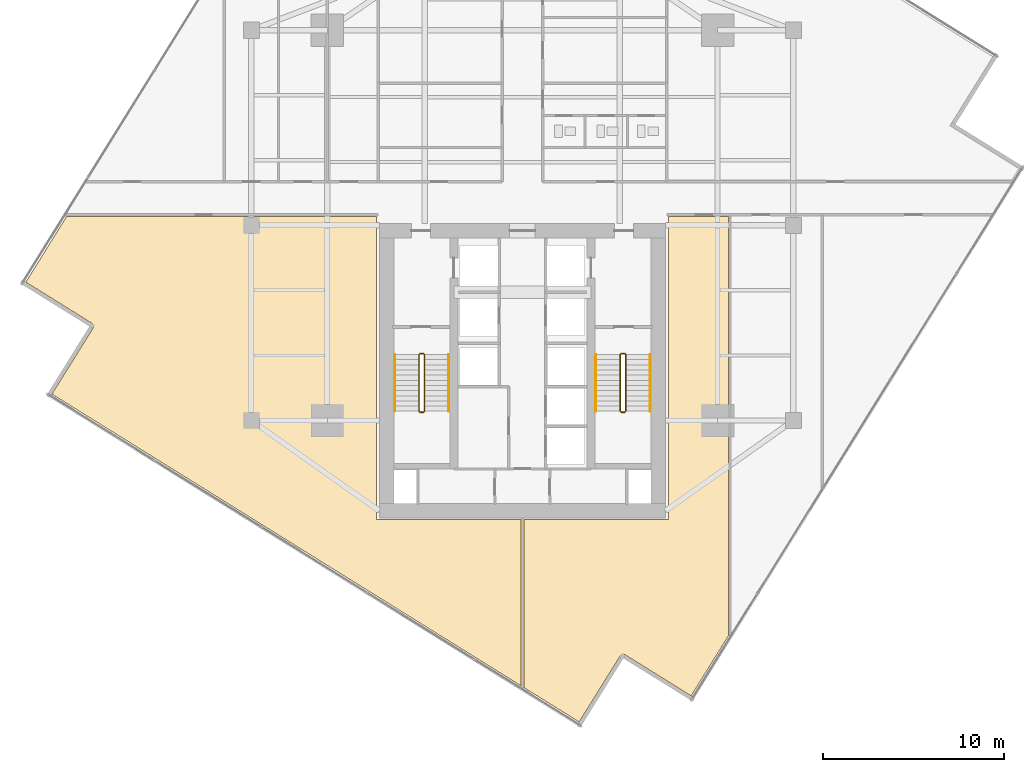
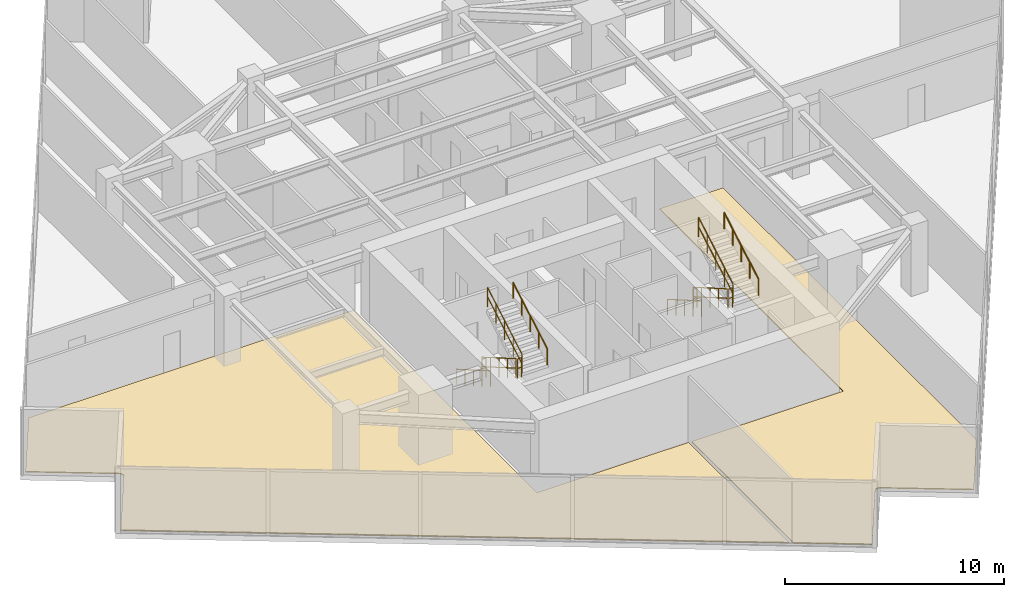
# One storey, part 24 of 26: 12 railings, 2 coverings.
"""IFC4 building model written with IfcOpenShell, lengths in metres."""

from ifc_helpers import new_model, si_unit, direction, frame, origin, origin_2d, place, context, subcontext, project, spatial, polyline, circle, outline, extrude, material, layer, layer_set, type_object, element, save


model = new_model("IFC4")

# Units and contexts
model_context = context("Model", 3, precision=1e-05, world=origin(), true_north=direction((0.0, 1.0)))
body_context = subcontext(model_context, "Body", "Model", "MODEL_VIEW")
ifc_project = project(units=[si_unit("LENGTHUNIT", "METRE"), si_unit("AREAUNIT", "SQUARE_METRE"), si_unit("VOLUMEUNIT", "CUBIC_METRE"), si_unit("PLANEANGLEUNIT", "RADIAN"), si_unit("MASSUNIT", "GRAM", prefix="KILO")], contexts=[model_context])

# Site, building, storey
site_placement = place(None, origin())
site = spatial("IfcSite", under=ifc_project, at=site_placement, CompositionType="ELEMENT")
building_placement = place(site_placement, origin())
building = spatial("IfcBuilding", under=site, at=building_placement, Name="Krantzveldt Concourse Tower", CompositionType="ELEMENT")
storey_placement = place(building_placement, frame((0.0, 0.0, 173.85009765625)))
storey = spatial("IfcBuildingStorey", under=building, at=storey_placement, Name="L42", CompositionType="ELEMENT", Elevation=173.85009765625)

# Coverings
ifc_material_1 = material(Name="Calcium-sulphate raised access floor panel", Category="flooring")
ifc_layer_1 = layer(ifc_material_1, 0.050048828125, Name="Calcium-sulphate raised access floor panel", Category="flooring")
ifc_layer_set_1 = layer_set([ifc_layer_1], Name="Calcium-sulphate raised access floor panel (COV-FLOOR-RAISED)")
covering_type = type_object("IfcCoveringType", Name="COV-FLOOR-RAISED", PredefinedType="FLOORING", material=ifc_layer_set_1)
covering_1_placement = place(storey_placement, origin())
element("IfcCovering", 1, at=covering_1_placement, inside=storey, type_object=covering_type, Name="FLR-SP-L42-SWX1", PredefinedType="FLOORING", context=body_context, shape_type="SweptSolid", body=[
    extrude(outline(polyline([(27.919921875, 10.419921875), (35.919921875, 10.419921875), (35.919921875, 1.219970703125), (9.962158203125, 17.361572265625), (12.222412109375, 20.99609375), (12.23291015625, 21.014892578125), (12.241455078125, 21.03466796875), (12.248046875, 21.055419921875), (12.25244140625, 21.076416015625), (12.255126953125, 21.097900390625), (12.25537109375, 21.119384765625), (12.253662109375, 21.140869140625), (12.249755859375, 21.162109375), (12.243896484375, 21.182861328125), (12.23583984375, 21.203125), (12.22607421875, 21.22216796875), (12.21435546875, 21.240478515625), (12.200927734375, 21.25732421875), (12.185791015625, 21.27294921875), (12.16943359375, 21.286865234375), (12.151611328125, 21.299072265625), (8.51708984375, 23.559326171875), (10.781005859375, 27.199951171875), (27.919921875, 27.199951171875), (27.919921875, 10.419921875)])), origin(), (0.0, 0.0, 1.0), 0.0498046875),
])
covering_2_placement = place(storey_placement, origin())
element("IfcCovering", 2, at=covering_2_placement, inside=storey, type_object=covering_type, Name="FLR-SP-L42-SEX1", PredefinedType="FLOORING", context=body_context, shape_type="SweptSolid", body=[
    extrude(outline(polyline([(47.419921875, 4.009521484375), (45.33837890625, 0.662109375), (41.703857421875, 2.92236328125), (41.68505859375, 2.932861328125), (41.665283203125, 2.94140625), (41.644775390625, 2.947998046875), (41.62353515625, 2.95263671875), (41.60205078125, 2.955078125), (41.58056640625, 2.955322265625), (41.55908203125, 2.95361328125), (41.537841796875, 2.94970703125), (41.51708984375, 2.94384765625), (41.496826171875, 2.935791015625), (41.477783203125, 2.926025390625), (41.45947265625, 2.914306640625), (41.442626953125, 2.90087890625), (41.42724609375, 2.885986328125), (41.4130859375, 2.869384765625), (41.40087890625, 2.8515625), (39.140869140625, -0.782958984375), (36.080078125, 1.120361328125), (36.080078125, 10.419921875), (44.080078125, 10.419921875), (44.080078125, 27.199951171875), (47.419921875, 27.199951171875), (47.419921875, 4.009521484375)])), origin(), (0.0, 0.0, 1.0), 0.0498046875),
])

# Railings
ifc_material_2 = material(Name="Stainless steel 316L", Category="steel")
ifc_layer_2 = layer(ifc_material_2, 0.06005859375, Name="Stainless steel 316L", Category="steel")
ifc_layer_set_2 = layer_set([ifc_layer_2], Name="Stainless steel 316L (RL-GUARD-1120)")
railing_type_1 = type_object("IfcRailingType", Name="RL-GUARD-1120", PredefinedType="GUARDRAIL", material=ifc_layer_set_2)
railing_1_placement = place(storey_placement, frame((30.280029296875, 19.550048828125, 0.16455078125)))
element("IfcRailing", 3, at=railing_1_placement, inside=storey, type_object=railing_type_1, Name="L42 ST-1 stair guard 1", PredefinedType="GUARDRAIL", context=body_context, shape_type="SweptSolid", body=[
    extrude(circle(Radius=0.02392578125, at=origin_2d()), frame((0.0, 0.0, 1.076171875), z_axis=(0.0, -0.865989039225, 0.500062979975), x_axis=(1.0, 0.0, 0.0)), (0.0, 0.0, 1.0), 3.6201171875),
    extrude(circle(Radius=0.02392578125, at=origin_2d()), frame((0.0, 0.0, 0.550048828125), z_axis=(0.0, -0.865989039225, 0.500062979975), x_axis=(1.0, 0.0, 0.0)), (0.0, 0.0, 1.0), 3.6201171875),
    extrude(circle(Radius=0.02099609375, at=origin_2d()), origin(), (0.0, 0.0, 1.0), 1.052001953125),
    extrude(circle(Radius=0.02099609375, at=origin_2d()), frame((0.0, -0.78369140625, 0.45263671875)), (0.0, 0.0, 1.0), 1.052001953125),
    extrude(circle(Radius=0.02099609375, at=origin_2d()), frame((0.0, -1.5673828125, 0.9052734375)), (0.0, 0.0, 1.0), 1.052001953125),
    extrude(circle(Radius=0.02099609375, at=origin_2d()), frame((0.0, -2.351318359375, 1.357666015625)), (0.0, 0.0, 1.0), 1.052001953125),
    extrude(circle(Radius=0.02099609375, at=origin_2d()), frame((0.0, -3.135009765625, 1.810302734375)), (0.0, 0.0, 1.0), 1.052001953125),
])
railing_2_placement = place(storey_placement, frame((30.330078125, 16.364990234375, 1.974853515625)))
element("IfcRailing", 4, at=railing_2_placement, inside=storey, type_object=railing_type_1, Name="L42 ST-1 stair guard 2", PredefinedType="GUARDRAIL", context=body_context, shape_type="SweptSolid", body=[
    extrude(circle(Radius=0.02392578125, at=origin_2d()), frame((0.0, 0.0, 1.076171875), z_axis=(1.0, 0.0, 0.0), x_axis=(0.0, 1.0, 0.0)), (0.0, 0.0, 1.0), 0.199951171875),
    extrude(circle(Radius=0.02392578125, at=origin_2d()), frame((0.0, 0.0, 0.550048828125), z_axis=(1.0, 0.0, 0.0), x_axis=(0.0, 1.0, 0.0)), (0.0, 0.0, 1.0), 0.199951171875),
    extrude(circle(Radius=0.02099609375, at=origin_2d()), origin(), (0.0, 0.0, 1.0), 1.052001953125),
    extrude(circle(Radius=0.02099609375, at=origin_2d()), frame((0.199951171875, 0.0, 0.0)), (0.0, 0.0, 1.0), 1.052001953125),
])
railing_3_placement = place(storey_placement, frame((30.580078125, 16.4150390625, 2.139404296875)))
element("IfcRailing", 5, at=railing_3_placement, inside=storey, type_object=railing_type_1, Name="L42 ST-1 stair guard 3", PredefinedType="GUARDRAIL", context=body_context, shape_type="SweptSolid", body=[
    extrude(circle(Radius=0.02392578125, at=origin_2d()), frame((0.0, 0.0, 1.076171875), z_axis=(0.0, 0.865959834175, 0.500113552702), x_axis=(-1.0, 0.0, 0.0)), (0.0, 0.0, 1.0), 3.620361328125),
    extrude(circle(Radius=0.02392578125, at=origin_2d()), frame((0.0, 0.0, 0.550048828125), z_axis=(0.0, 0.865959834175, 0.500113552702), x_axis=(-1.0, 0.0, 0.0)), (0.0, 0.0, 1.0), 3.620361328125),
    extrude(circle(Radius=0.02099609375, at=origin_2d()), origin(), (0.0, 0.0, 1.0), 1.052001953125),
    extrude(circle(Radius=0.02099609375, at=origin_2d()), frame((0.0, 0.78369140625, 0.45263671875)), (0.0, 0.0, 1.0), 1.052001953125),
    extrude(circle(Radius=0.02099609375, at=origin_2d()), frame((0.0, 1.5673828125, 0.9052734375)), (0.0, 0.0, 1.0), 1.052001953125),
    extrude(circle(Radius=0.02099609375, at=origin_2d()), frame((0.0, 2.351318359375, 1.35791015625)), (0.0, 0.0, 1.0), 1.052001953125),
    extrude(circle(Radius=0.02099609375, at=origin_2d()), frame((0.0, 3.135009765625, 1.810546875)), (0.0, 0.0, 1.0), 1.052001953125),
])
railing_4_placement = place(storey_placement, frame((30.330078125, 19.60009765625, 0.0)))
element("IfcRailing", 6, at=railing_4_placement, inside=storey, type_object=railing_type_1, Name="L42 ST-1 stair guard 4", PredefinedType="GUARDRAIL", context=body_context, shape_type="SweptSolid", body=[
    extrude(circle(Radius=0.02392578125, at=origin_2d()), frame((0.0, 0.0, 1.076171875), z_axis=(1.0, 0.0, 0.0), x_axis=(0.0, 1.0, 0.0)), (0.0, 0.0, 1.0), 0.199951171875),
    extrude(circle(Radius=0.02392578125, at=origin_2d()), frame((0.0, 0.0, 0.550048828125), z_axis=(1.0, 0.0, 0.0), x_axis=(0.0, 1.0, 0.0)), (0.0, 0.0, 1.0), 0.199951171875),
    extrude(circle(Radius=0.02099609375, at=origin_2d()), origin(), (0.0, 0.0, 1.0), 1.052001953125),
    extrude(circle(Radius=0.02099609375, at=origin_2d()), frame((0.199951171875, 0.0, 0.0)), (0.0, 0.0, 1.0), 1.052001953125),
])
railing_5_placement = place(storey_placement, frame((41.419921875, 19.550048828125, 0.16455078125)))
element("IfcRailing", 7, at=railing_5_placement, inside=storey, type_object=railing_type_1, Name="L42 ST-2 stair guard 1", PredefinedType="GUARDRAIL", context=body_context, shape_type="SweptSolid", body=[
    extrude(circle(Radius=0.02392578125, at=origin_2d()), frame((0.0, 0.0, 1.076171875), z_axis=(0.0, -0.865989039225, 0.500062979975), x_axis=(1.0, 0.0, 0.0)), (0.0, 0.0, 1.0), 3.6201171875),
    extrude(circle(Radius=0.02392578125, at=origin_2d()), frame((0.0, 0.0, 0.550048828125), z_axis=(0.0, -0.865989039225, 0.500062979975), x_axis=(1.0, 0.0, 0.0)), (0.0, 0.0, 1.0), 3.6201171875),
    extrude(circle(Radius=0.02099609375, at=origin_2d()), origin(), (0.0, 0.0, 1.0), 1.052001953125),
    extrude(circle(Radius=0.02099609375, at=origin_2d()), frame((0.0, -0.78369140625, 0.45263671875)), (0.0, 0.0, 1.0), 1.052001953125),
    extrude(circle(Radius=0.02099609375, at=origin_2d()), frame((0.0, -1.5673828125, 0.9052734375)), (0.0, 0.0, 1.0), 1.052001953125),
    extrude(circle(Radius=0.02099609375, at=origin_2d()), frame((0.0, -2.351318359375, 1.357666015625)), (0.0, 0.0, 1.0), 1.052001953125),
    extrude(circle(Radius=0.02099609375, at=origin_2d()), frame((0.0, -3.135009765625, 1.810302734375)), (0.0, 0.0, 1.0), 1.052001953125),
])
railing_6_placement = place(storey_placement, frame((41.469970703125, 16.364990234375, 1.974853515625)))
element("IfcRailing", 8, at=railing_6_placement, inside=storey, type_object=railing_type_1, Name="L42 ST-2 stair guard 2", PredefinedType="GUARDRAIL", context=body_context, shape_type="SweptSolid", body=[
    extrude(circle(Radius=0.02392578125, at=origin_2d()), frame((0.0, 0.0, 1.076171875), z_axis=(1.0, 0.0, 0.0), x_axis=(0.0, 1.0, 0.0)), (0.0, 0.0, 1.0), 0.199951171875),
    extrude(circle(Radius=0.02392578125, at=origin_2d()), frame((0.0, 0.0, 0.550048828125), z_axis=(1.0, 0.0, 0.0), x_axis=(0.0, 1.0, 0.0)), (0.0, 0.0, 1.0), 0.199951171875),
    extrude(circle(Radius=0.02099609375, at=origin_2d()), origin(), (0.0, 0.0, 1.0), 1.052001953125),
    extrude(circle(Radius=0.02099609375, at=origin_2d()), frame((0.199951171875, 0.0, 0.0)), (0.0, 0.0, 1.0), 1.052001953125),
])
railing_7_placement = place(storey_placement, frame((41.719970703125, 16.4150390625, 2.139404296875)))
element("IfcRailing", 9, at=railing_7_placement, inside=storey, type_object=railing_type_1, Name="L42 ST-2 stair guard 3", PredefinedType="GUARDRAIL", context=body_context, shape_type="SweptSolid", body=[
    extrude(circle(Radius=0.02392578125, at=origin_2d()), frame((0.0, 0.0, 1.076171875), z_axis=(0.0, 0.865959834175, 0.500113552702), x_axis=(-1.0, 0.0, 0.0)), (0.0, 0.0, 1.0), 3.620361328125),
    extrude(circle(Radius=0.02392578125, at=origin_2d()), frame((0.0, 0.0, 0.550048828125), z_axis=(0.0, 0.865959834175, 0.500113552702), x_axis=(-1.0, 0.0, 0.0)), (0.0, 0.0, 1.0), 3.620361328125),
    extrude(circle(Radius=0.02099609375, at=origin_2d()), origin(), (0.0, 0.0, 1.0), 1.052001953125),
    extrude(circle(Radius=0.02099609375, at=origin_2d()), frame((0.0, 0.78369140625, 0.45263671875)), (0.0, 0.0, 1.0), 1.052001953125),
    extrude(circle(Radius=0.02099609375, at=origin_2d()), frame((0.0, 1.5673828125, 0.9052734375)), (0.0, 0.0, 1.0), 1.052001953125),
    extrude(circle(Radius=0.02099609375, at=origin_2d()), frame((0.0, 2.351318359375, 1.35791015625)), (0.0, 0.0, 1.0), 1.052001953125),
    extrude(circle(Radius=0.02099609375, at=origin_2d()), frame((0.0, 3.135009765625, 1.810546875)), (0.0, 0.0, 1.0), 1.052001953125),
])
railing_8_placement = place(storey_placement, frame((41.469970703125, 19.60009765625, 0.0)))
element("IfcRailing", 10, at=railing_8_placement, inside=storey, type_object=railing_type_1, Name="L42 ST-2 stair guard 4", PredefinedType="GUARDRAIL", context=body_context, shape_type="SweptSolid", body=[
    extrude(circle(Radius=0.02392578125, at=origin_2d()), frame((0.0, 0.0, 1.076171875), z_axis=(1.0, 0.0, 0.0), x_axis=(0.0, 1.0, 0.0)), (0.0, 0.0, 1.0), 0.199951171875),
    extrude(circle(Radius=0.02392578125, at=origin_2d()), frame((0.0, 0.0, 0.550048828125), z_axis=(1.0, 0.0, 0.0), x_axis=(0.0, 1.0, 0.0)), (0.0, 0.0, 1.0), 0.199951171875),
    extrude(circle(Radius=0.02099609375, at=origin_2d()), origin(), (0.0, 0.0, 1.0), 1.052001953125),
    extrude(circle(Radius=0.02099609375, at=origin_2d()), frame((0.199951171875, 0.0, 0.0)), (0.0, 0.0, 1.0), 1.052001953125),
])
ifc_layer_3 = layer(ifc_material_2, 0.050048828125, Name="Stainless steel 316L", Category="steel")
ifc_layer_set_3 = layer_set([ifc_layer_3], Name="Stainless steel 316L (RL-HANDRAIL-920)")
railing_type_2 = type_object("IfcRailingType", Name="RL-HANDRAIL-920", PredefinedType="HANDRAIL", material=ifc_layer_set_3)
railing_9_placement = place(storey_placement, frame((28.929931640625, 19.550048828125, 0.16455078125)))
element("IfcRailing", 11, at=railing_9_placement, inside=storey, type_object=railing_type_2, Name="L42 ST-1 stair handrail 1", PredefinedType="HANDRAIL", context=body_context, shape_type="SweptSolid", body=[
    extrude(circle(Radius=0.02392578125, at=origin_2d()), frame((0.0, 0.0, 0.8759765625), z_axis=(0.0, -0.865989039225, 0.500062979975), x_axis=(1.0, 0.0, 0.0)), (0.0, 0.0, 1.0), 3.6201171875),
    extrude(circle(Radius=0.02099609375, at=origin_2d()), origin(), (0.0, 0.0, 1.0), 0.851806640625),
    extrude(circle(Radius=0.02099609375, at=origin_2d()), frame((0.0, -0.78369140625, 0.45263671875)), (0.0, 0.0, 1.0), 0.851806640625),
    extrude(circle(Radius=0.02099609375, at=origin_2d()), frame((0.0, -1.5673828125, 0.9052734375)), (0.0, 0.0, 1.0), 0.851806640625),
    extrude(circle(Radius=0.02099609375, at=origin_2d()), frame((0.0, -2.351318359375, 1.357666015625)), (0.0, 0.0, 1.0), 0.851806640625),
    extrude(circle(Radius=0.02099609375, at=origin_2d()), frame((0.0, -3.135009765625, 1.810302734375)), (0.0, 0.0, 1.0), 0.851806640625),
])
railing_10_placement = place(storey_placement, frame((31.929931640625, 16.4150390625, 2.139404296875)))
element("IfcRailing", 12, at=railing_10_placement, inside=storey, type_object=railing_type_2, Name="L42 ST-1 stair handrail 2", PredefinedType="HANDRAIL", context=body_context, shape_type="SweptSolid", body=[
    extrude(circle(Radius=0.02392578125, at=origin_2d()), frame((0.0, 0.0, 0.8759765625), z_axis=(0.0, 0.865959834175, 0.500113552702), x_axis=(-1.0, 0.0, 0.0)), (0.0, 0.0, 1.0), 3.620361328125),
    extrude(circle(Radius=0.02099609375, at=origin_2d()), origin(), (0.0, 0.0, 1.0), 0.851806640625),
    extrude(circle(Radius=0.02099609375, at=origin_2d()), frame((0.0, 0.78369140625, 0.45263671875)), (0.0, 0.0, 1.0), 0.851806640625),
    extrude(circle(Radius=0.02099609375, at=origin_2d()), frame((0.0, 1.5673828125, 0.9052734375)), (0.0, 0.0, 1.0), 0.851806640625),
    extrude(circle(Radius=0.02099609375, at=origin_2d()), frame((0.0, 2.351318359375, 1.35791015625)), (0.0, 0.0, 1.0), 0.851806640625),
    extrude(circle(Radius=0.02099609375, at=origin_2d()), frame((0.0, 3.135009765625, 1.810546875)), (0.0, 0.0, 1.0), 0.851806640625),
])
railing_11_placement = place(storey_placement, frame((40.070068359375, 19.550048828125, 0.16455078125)))
element("IfcRailing", 13, at=railing_11_placement, inside=storey, type_object=railing_type_2, Name="L42 ST-2 stair handrail 1", PredefinedType="HANDRAIL", context=body_context, shape_type="SweptSolid", body=[
    extrude(circle(Radius=0.02392578125, at=origin_2d()), frame((0.0, 0.0, 0.8759765625), z_axis=(0.0, -0.865989039225, 0.500062979975), x_axis=(1.0, 0.0, 0.0)), (0.0, 0.0, 1.0), 3.6201171875),
    extrude(circle(Radius=0.02099609375, at=origin_2d()), origin(), (0.0, 0.0, 1.0), 0.851806640625),
    extrude(circle(Radius=0.02099609375, at=origin_2d()), frame((0.0, -0.78369140625, 0.45263671875)), (0.0, 0.0, 1.0), 0.851806640625),
    extrude(circle(Radius=0.02099609375, at=origin_2d()), frame((0.0, -1.5673828125, 0.9052734375)), (0.0, 0.0, 1.0), 0.851806640625),
    extrude(circle(Radius=0.02099609375, at=origin_2d()), frame((0.0, -2.351318359375, 1.357666015625)), (0.0, 0.0, 1.0), 0.851806640625),
    extrude(circle(Radius=0.02099609375, at=origin_2d()), frame((0.0, -3.135009765625, 1.810302734375)), (0.0, 0.0, 1.0), 0.851806640625),
])
railing_12_placement = place(storey_placement, frame((43.070068359375, 16.4150390625, 2.139404296875)))
element("IfcRailing", 14, at=railing_12_placement, inside=storey, type_object=railing_type_2, Name="L42 ST-2 stair handrail 2", PredefinedType="HANDRAIL", context=body_context, shape_type="SweptSolid", body=[
    extrude(circle(Radius=0.02392578125, at=origin_2d()), frame((0.0, 0.0, 0.8759765625), z_axis=(0.0, 0.865959834175, 0.500113552702), x_axis=(-1.0, 0.0, 0.0)), (0.0, 0.0, 1.0), 3.620361328125),
    extrude(circle(Radius=0.02099609375, at=origin_2d()), origin(), (0.0, 0.0, 1.0), 0.851806640625),
    extrude(circle(Radius=0.02099609375, at=origin_2d()), frame((0.0, 0.78369140625, 0.45263671875)), (0.0, 0.0, 1.0), 0.851806640625),
    extrude(circle(Radius=0.02099609375, at=origin_2d()), frame((0.0, 1.5673828125, 0.9052734375)), (0.0, 0.0, 1.0), 0.851806640625),
    extrude(circle(Radius=0.02099609375, at=origin_2d()), frame((0.0, 2.351318359375, 1.35791015625)), (0.0, 0.0, 1.0), 0.851806640625),
    extrude(circle(Radius=0.02099609375, at=origin_2d()), frame((0.0, 3.135009765625, 1.810546875)), (0.0, 0.0, 1.0), 0.851806640625),
])

save(model, "model.ifc")
